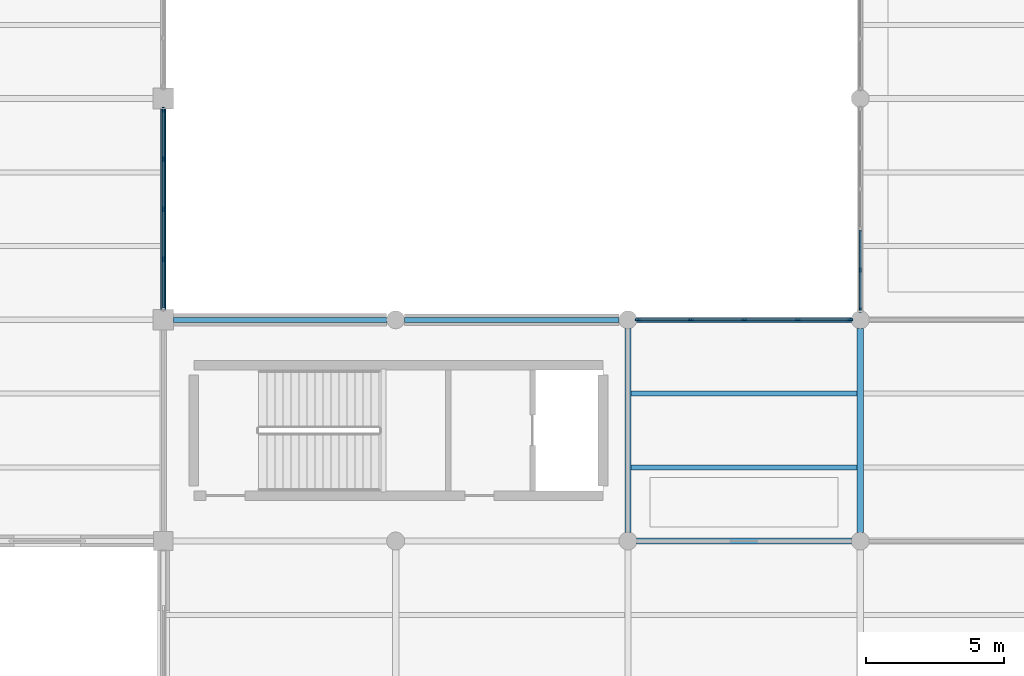
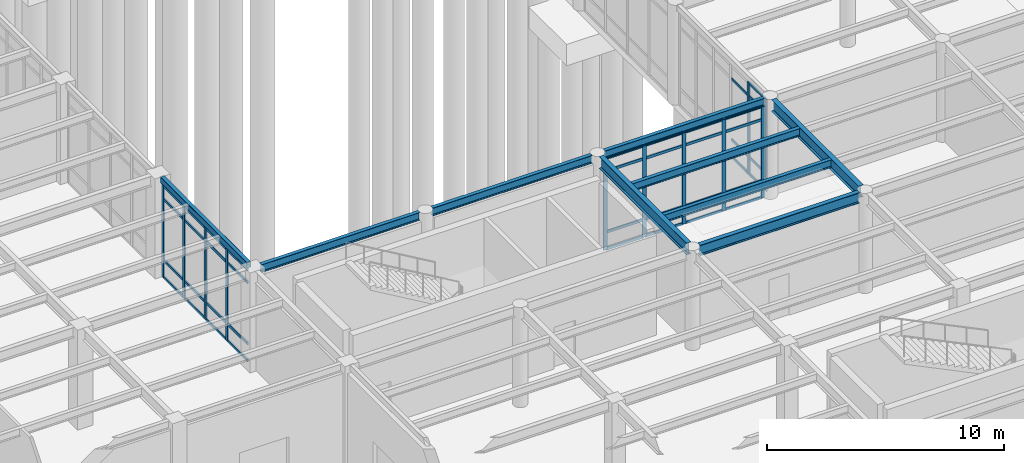
# One storey, part 29 of 138: 50 members, 9 beams, 3 elements without a shape of their own.
"""IFC4 building model written with IfcOpenShell, lengths in metres."""

from ifc_helpers import new_model, si_unit, direction, frame, origin, origin_2d, place, context, subcontext, project, spatial, rectangle, hollow_rectangle, i_section, extrude, material, layer, layer_set, material_profile, profile_set, type_object, element, aggregate, save


model = new_model("IFC4")

# Units and contexts
model_context = context("Model", 3, precision=1e-05, world=origin(), true_north=direction((0.0, 1.0)))
body_context = subcontext(model_context, "Body", "Model", "MODEL_VIEW")
ifc_project = project(units=[si_unit("LENGTHUNIT", "METRE"), si_unit("AREAUNIT", "SQUARE_METRE"), si_unit("VOLUMEUNIT", "CUBIC_METRE"), si_unit("PLANEANGLEUNIT", "RADIAN"), si_unit("MASSUNIT", "GRAM", prefix="KILO")], contexts=[model_context])

# Site, building, storey
site_placement = place(None, origin())
site = spatial("IfcSite", under=ifc_project, at=site_placement, CompositionType="ELEMENT")
building_placement = place(site_placement, origin())
building = spatial("IfcBuilding", under=site, at=building_placement, Name="Kranzveld Transit Interchange", CompositionType="ELEMENT")
storey_placement = place(building_placement, origin())
storey = spatial("IfcBuildingStorey", under=building, at=storey_placement, Name="L00", CompositionType="ELEMENT", Elevation=0.0)

# Curtain wall, members
ifc_material_1 = material(Name="Bronze-anodised thermally broken aluminium", Category="aluminium")
ifc_layer_1 = layer(ifc_material_1, 0.1650390625)
ifc_layer_set_1 = layer_set([ifc_layer_1], Name="Bronze-anodised thermally broken aluminium")
curtain_wall_type_1 = type_object("IfcCurtainWallType", Name="Sunny Court Arcade Curtain Wall CW-2", PredefinedType="USERDEFINED", material=ifc_layer_set_1)
curtain_wall_1_placement = place(storey_placement, origin())
curtain_wall_1 = element("IfcCurtainWall", 1, at=curtain_wall_1_placement, inside=storey, type_object=curtain_wall_type_1, Name="L00 Curtain Wall 08/H-08/J", ObjectType="CURTAIN WALL", PredefinedType="USERDEFINED")
ifc_material_2 = material(Name="Bronze-anodised thermally broken aluminium", Category="aluminium")
ifc_material_profile_1 = material_profile(ifc_material_2, rectangle(XDim=0.06494140625, YDim=0.1650390625, at=origin_2d()), Name="ALU MULLION 65x165")
ifc_profile_set_1 = profile_set([ifc_material_profile_1], Name="Bronze-anodised thermally broken aluminium")
member_type_1 = type_object("IfcMemberType", Name="Curtain Wall Mullion 65x165 Alu", PredefinedType="MULLION", material=ifc_profile_set_1)
member_1_placement = place(storey_placement, frame((58.800048828125, 56.357421875, 0.0), z_axis=(0.0, 0.0, 1.0), x_axis=(-1.0, 0.0, 0.0)))
member_1 = element("IfcMember", 2, at=member_1_placement, type_object=member_type_1, Name="CW-2 mullion 1", PredefinedType="MULLION", context=body_context, shape_type="SweptSolid", body=[
    extrude(rectangle(XDim=0.06494140625, YDim=0.1650390625, at=origin_2d()), origin(), (0.0, 0.0, 1.0), 4.747314453125),
])
member_2_placement = place(storey_placement, frame((58.800048828125, 57.794921875, 0.0), z_axis=(0.0, 0.0, 1.0), x_axis=(-1.0, 0.0, 0.0)))
member_2 = element("IfcMember", 3, at=member_2_placement, type_object=member_type_1, Name="CW-2 mullion 2", PredefinedType="MULLION", context=body_context, shape_type="SweptSolid", body=[
    extrude(rectangle(XDim=0.06494140625, YDim=0.1650390625, at=origin_2d()), origin(), (0.0, 0.0, 1.0), 4.747314453125),
])

ifc_material_3 = material(Name="Bronze-anodised thermally broken aluminium", Category="aluminium")
ifc_layer_2 = layer(ifc_material_3, 0.18505859375)
ifc_layer_set_2 = layer_set([ifc_layer_2], Name="Bronze-anodised thermally broken aluminium")
curtain_wall_type_2 = type_object("IfcCurtainWallType", Name="Control Crown Observation Facade CW-5", PredefinedType="USERDEFINED", material=ifc_layer_set_2)
curtain_wall_2_placement = place(storey_placement, origin())
curtain_wall_2 = element("IfcCurtainWall", 4, at=curtain_wall_2_placement, inside=storey, type_object=curtain_wall_type_2, Name="L00 Curtain Wall 05/H-05/J", ObjectType="CURTAIN WALL", PredefinedType="USERDEFINED")
ifc_material_4 = material(Name="Bronze-anodised thermally broken aluminium", Category="aluminium")
ifc_material_profile_2 = material_profile(ifc_material_4, rectangle(XDim=0.06494140625, YDim=0.179931640625, at=origin_2d()), Name="ALU MULLION 65x180")
ifc_profile_set_2 = profile_set([ifc_material_profile_2], Name="Bronze-anodised thermally broken aluminium")
member_type_2 = type_object("IfcMemberType", Name="Curtain Wall Mullion 65x180 Alu", PredefinedType="MULLION", material=ifc_profile_set_2)
member_3_placement = place(storey_placement, frame((33.60009765625, 58.1875, 0.0), z_axis=(0.0, 0.0, 1.0), x_axis=(-1.0, 0.0, 0.0)))
member_3 = element("IfcMember", 5, at=member_3_placement, type_object=member_type_2, Name="CW-5 mullion 2", PredefinedType="MULLION", context=body_context, shape_type="SweptSolid", body=[
    extrude(rectangle(XDim=0.06494140625, YDim=0.179931640625, at=origin_2d()), origin(), (0.0, 0.0, 1.0), 4.747314453125),
])
member_4_placement = place(storey_placement, frame((33.60009765625, 60.0, 0.0), z_axis=(0.0, 0.0, 1.0), x_axis=(-1.0, 0.0, 0.0)))
member_4 = element("IfcMember", 6, at=member_4_placement, type_object=member_type_2, Name="CW-5 mullion 3", PredefinedType="MULLION", context=body_context, shape_type="SweptSolid", body=[
    extrude(rectangle(XDim=0.06494140625, YDim=0.179931640625, at=origin_2d()), origin(), (0.0, 0.0, 1.0), 4.747314453125),
])
member_5_placement = place(storey_placement, frame((33.60009765625, 61.8125, 0.0), z_axis=(0.0, 0.0, 1.0), x_axis=(-1.0, 0.0, 0.0)))
member_5 = element("IfcMember", 7, at=member_5_placement, type_object=member_type_2, Name="CW-5 mullion 4", PredefinedType="MULLION", context=body_context, shape_type="SweptSolid", body=[
    extrude(rectangle(XDim=0.06494140625, YDim=0.179931640625, at=origin_2d()), origin(), (0.0, 0.0, 1.0), 4.747314453125),
])
member_6_placement = place(storey_placement, frame((33.60009765625, 63.592529296875, 0.0), z_axis=(0.0, 0.0, 1.0), x_axis=(-1.0, 0.0, 0.0)))
member_6 = element("IfcMember", 8, at=member_6_placement, type_object=member_type_2, Name="CW-5 mullion 5", PredefinedType="MULLION", context=body_context, shape_type="SweptSolid", body=[
    extrude(rectangle(XDim=0.06494140625, YDim=0.179931640625, at=origin_2d()), origin(), (0.0, 0.0, 1.0), 4.747314453125),
])

ifc_material_5 = material(Name="Bronze-anodised thermally broken aluminium", Category="aluminium")
ifc_layer_3 = layer(ifc_material_5, 0.179931640625)
ifc_layer_set_3 = layer_set([ifc_layer_3], Name="Bronze-anodised thermally broken aluminium")
curtain_wall_type_3 = type_object("IfcCurtainWallType", Name="Concourse Unitised Curtain Wall CW-1", PredefinedType="USERDEFINED", material=ifc_layer_set_3)
curtain_wall_3_placement = place(storey_placement, origin())
curtain_wall_3 = element("IfcCurtainWall", 9, at=curtain_wall_3_placement, inside=storey, type_object=curtain_wall_type_3, Name="L00 Curtain Wall 07/H-08/H", ObjectType="CURTAIN WALL", PredefinedType="USERDEFINED")
member_7_placement = place(storey_placement, frame((50.757568359375, 56.0, 0.0), z_axis=(0.0, 0.0, 1.0), x_axis=(0.0, 1.0, 0.0)))
member_7 = element("IfcMember", 10, at=member_7_placement, type_object=member_type_2, Name="CW-1 mullion 1", PredefinedType="MULLION", context=body_context, shape_type="SweptSolid", body=[
    extrude(rectangle(XDim=0.06494140625, YDim=0.179931640625, at=origin_2d()), origin(), (0.0, 0.0, 1.0), 4.740478515625),
])
member_8_placement = place(storey_placement, frame((52.66259765625, 56.0, 0.0), z_axis=(0.0, 0.0, 1.0), x_axis=(0.0, 1.0, 0.0)))
member_8 = element("IfcMember", 11, at=member_8_placement, type_object=member_type_2, Name="CW-1 mullion 2", PredefinedType="MULLION", context=body_context, shape_type="SweptSolid", body=[
    extrude(rectangle(XDim=0.06494140625, YDim=0.179931640625, at=origin_2d()), origin(), (0.0, 0.0, 1.0), 4.740478515625),
])
member_9_placement = place(storey_placement, frame((54.60009765625, 56.0, 0.0), z_axis=(0.0, 0.0, 1.0), x_axis=(0.0, 1.0, 0.0)))
member_9 = element("IfcMember", 12, at=member_9_placement, type_object=member_type_2, Name="CW-1 mullion 3", PredefinedType="MULLION", context=body_context, shape_type="SweptSolid", body=[
    extrude(rectangle(XDim=0.06494140625, YDim=0.179931640625, at=origin_2d()), origin(), (0.0, 0.0, 1.0), 4.740478515625),
])
member_10_placement = place(storey_placement, frame((56.53759765625, 56.0, 0.0), z_axis=(0.0, 0.0, 1.0), x_axis=(0.0, 1.0, 0.0)))
member_10 = element("IfcMember", 13, at=member_10_placement, type_object=member_type_2, Name="CW-1 mullion 4", PredefinedType="MULLION", context=body_context, shape_type="SweptSolid", body=[
    extrude(rectangle(XDim=0.06494140625, YDim=0.179931640625, at=origin_2d()), origin(), (0.0, 0.0, 1.0), 4.740478515625),
])
member_11_placement = place(storey_placement, frame((58.4423828125, 56.0, 0.0), z_axis=(0.0, 0.0, 1.0), x_axis=(0.0, 1.0, 0.0)))
member_11 = element("IfcMember", 14, at=member_11_placement, type_object=member_type_2, Name="CW-1 mullion 5", PredefinedType="MULLION", context=body_context, shape_type="SweptSolid", body=[
    extrude(rectangle(XDim=0.06494140625, YDim=0.179931640625, at=origin_2d()), origin(), (0.0, 0.0, 1.0), 4.740478515625),
])

# Member
ifc_material_6 = material(Name="Bronze-anodised thermally broken aluminium", Category="aluminium")
ifc_material_profile_3 = material_profile(ifc_material_6, rectangle(XDim=0.06005859375, YDim=0.125, at=origin_2d()), Name="ALU TRANSOM 60x125")
ifc_profile_set_3 = profile_set([ifc_material_profile_3], Name="Bronze-anodised thermally broken aluminium")
member_type_3 = type_object("IfcMemberType", Name="Curtain Wall Transom 60x125 Alu", PredefinedType="USERDEFINED", material=ifc_profile_set_3)
member_12_placement = place(storey_placement, frame((58.800048828125, 56.389892578125, 0.030029296875), z_axis=(0.0, 1.0, 0.0), x_axis=(-1.0, 0.0, 0.0)))
member_12 = element("IfcMember", 15, at=member_12_placement, type_object=member_type_3, Name="CW-2 transom 1.1", ObjectType="TRANSOM", PredefinedType="USERDEFINED", context=body_context, shape_type="SweptSolid", body=[
    extrude(rectangle(XDim=0.06005859375, YDim=0.125, at=origin_2d()), origin(), (0.0, 0.0, 1.0), 1.37255859375),
])

member_13_placement = place(storey_placement, frame((58.800048828125, 56.389892578125, 0.89990234375), z_axis=(0.0, 1.0, 0.0), x_axis=(-1.0, 0.0, 0.0)))
member_13 = element("IfcMember", 16, at=member_13_placement, type_object=member_type_3, Name="CW-2 transom 1.2", ObjectType="TRANSOM", PredefinedType="USERDEFINED", context=body_context, shape_type="SweptSolid", body=[
    extrude(rectangle(XDim=0.06005859375, YDim=0.125, at=origin_2d()), origin(), (0.0, 0.0, 1.0), 1.37255859375),
])

member_14_placement = place(storey_placement, frame((58.800048828125, 56.389892578125, 4.04736328125), z_axis=(0.0, 1.0, 0.0), x_axis=(-1.0, 0.0, 0.0)))
member_14 = element("IfcMember", 17, at=member_14_placement, type_object=member_type_3, Name="CW-2 transom 1.3", ObjectType="TRANSOM", PredefinedType="USERDEFINED", context=body_context, shape_type="SweptSolid", body=[
    extrude(rectangle(XDim=0.06005859375, YDim=0.125, at=origin_2d()), origin(), (0.0, 0.0, 1.0), 1.37255859375),
])

member_15_placement = place(storey_placement, frame((58.800048828125, 56.389892578125, 4.71728515625), z_axis=(0.0, 1.0, 0.0), x_axis=(-1.0, 0.0, 0.0)))
member_15 = element("IfcMember", 18, at=member_15_placement, type_object=member_type_3, Name="CW-2 transom 1.4", ObjectType="TRANSOM", PredefinedType="USERDEFINED", context=body_context, shape_type="SweptSolid", body=[
    extrude(rectangle(XDim=0.06005859375, YDim=0.125, at=origin_2d()), origin(), (0.0, 0.0, 1.0), 1.37255859375),
])

member_16_placement = place(storey_placement, frame((58.800048828125, 57.827392578125, 0.030029296875), z_axis=(0.0, 1.0, 0.0), x_axis=(-1.0, 0.0, 0.0)))
member_16 = element("IfcMember", 19, at=member_16_placement, type_object=member_type_3, Name="CW-2 transom 2.1", ObjectType="TRANSOM", PredefinedType="USERDEFINED", context=body_context, shape_type="SweptSolid", body=[
    extrude(rectangle(XDim=0.06005859375, YDim=0.125, at=origin_2d()), origin(), (0.0, 0.0, 1.0), 1.405029296875),
])

member_17_placement = place(storey_placement, frame((58.800048828125, 57.827392578125, 0.89990234375), z_axis=(0.0, 1.0, 0.0), x_axis=(-1.0, 0.0, 0.0)))
member_17 = element("IfcMember", 20, at=member_17_placement, type_object=member_type_3, Name="CW-2 transom 2.2", ObjectType="TRANSOM", PredefinedType="USERDEFINED", context=body_context, shape_type="SweptSolid", body=[
    extrude(rectangle(XDim=0.06005859375, YDim=0.125, at=origin_2d()), origin(), (0.0, 0.0, 1.0), 1.405029296875),
])

member_18_placement = place(storey_placement, frame((58.800048828125, 57.827392578125, 4.04736328125), z_axis=(0.0, 1.0, 0.0), x_axis=(-1.0, 0.0, 0.0)))
member_18 = element("IfcMember", 21, at=member_18_placement, type_object=member_type_3, Name="CW-2 transom 2.3", ObjectType="TRANSOM", PredefinedType="USERDEFINED", context=body_context, shape_type="SweptSolid", body=[
    extrude(rectangle(XDim=0.06005859375, YDim=0.125, at=origin_2d()), origin(), (0.0, 0.0, 1.0), 1.405029296875),
])

aggregate(curtain_wall_1, [member_1, member_2, member_12, member_13, member_14, member_15, member_16, member_17, member_18])

ifc_material_7 = material(Name="Bronze-anodised thermally broken aluminium", Category="aluminium")
ifc_material_profile_4 = material_profile(ifc_material_7, rectangle(XDim=0.06494140625, YDim=0.139892578125, at=origin_2d()), Name="ALU TRANSOM 65x140")
ifc_profile_set_4 = profile_set([ifc_material_profile_4], Name="Bronze-anodised thermally broken aluminium")
member_type_4 = type_object("IfcMemberType", Name="Curtain Wall Transom 65x140 Alu", PredefinedType="USERDEFINED", material=ifc_profile_set_4)
member_19_placement = place(storey_placement, frame((33.60009765625, 56.43994140625, 0.032470703125), z_axis=(0.0, 1.0, 0.0), x_axis=(-1.0, 0.0, 0.0)))
member_19 = element("IfcMember", 22, at=member_19_placement, type_object=member_type_4, Name="CW-5 transom 1.1", ObjectType="TRANSOM", PredefinedType="USERDEFINED", context=body_context, shape_type="SweptSolid", body=[
    extrude(rectangle(XDim=0.06494140625, YDim=0.139892578125, at=origin_2d()), origin(), (0.0, 0.0, 1.0), 1.715087890625),
])

member_20_placement = place(storey_placement, frame((33.60009765625, 56.43994140625, 0.89990234375), z_axis=(0.0, 1.0, 0.0), x_axis=(-1.0, 0.0, 0.0)))
member_20 = element("IfcMember", 23, at=member_20_placement, type_object=member_type_4, Name="CW-5 transom 1.2", ObjectType="TRANSOM", PredefinedType="USERDEFINED", context=body_context, shape_type="SweptSolid", body=[
    extrude(rectangle(XDim=0.06494140625, YDim=0.139892578125, at=origin_2d()), origin(), (0.0, 0.0, 1.0), 1.715087890625),
])

member_21_placement = place(storey_placement, frame((33.60009765625, 56.43994140625, 4.04736328125), z_axis=(0.0, 1.0, 0.0), x_axis=(-1.0, 0.0, 0.0)))
member_21 = element("IfcMember", 24, at=member_21_placement, type_object=member_type_4, Name="CW-5 transom 1.3", ObjectType="TRANSOM", PredefinedType="USERDEFINED", context=body_context, shape_type="SweptSolid", body=[
    extrude(rectangle(XDim=0.06494140625, YDim=0.139892578125, at=origin_2d()), origin(), (0.0, 0.0, 1.0), 1.715087890625),
])

member_22_placement = place(storey_placement, frame((33.60009765625, 56.43994140625, 4.71484375), z_axis=(0.0, 1.0, 0.0), x_axis=(-1.0, 0.0, 0.0)))
member_22 = element("IfcMember", 25, at=member_22_placement, type_object=member_type_4, Name="CW-5 transom 1.4", ObjectType="TRANSOM", PredefinedType="USERDEFINED", context=body_context, shape_type="SweptSolid", body=[
    extrude(rectangle(XDim=0.06494140625, YDim=0.139892578125, at=origin_2d()), origin(), (0.0, 0.0, 1.0), 1.715087890625),
])

member_23_placement = place(storey_placement, frame((33.60009765625, 58.219970703125, 0.032470703125), z_axis=(0.0, 1.0, 0.0), x_axis=(-1.0, 0.0, 0.0)))
member_23 = element("IfcMember", 26, at=member_23_placement, type_object=member_type_4, Name="CW-5 transom 2.1", ObjectType="TRANSOM", PredefinedType="USERDEFINED", context=body_context, shape_type="SweptSolid", body=[
    extrude(rectangle(XDim=0.06494140625, YDim=0.139892578125, at=origin_2d()), origin(), (0.0, 0.0, 1.0), 1.74755859375),
])

member_24_placement = place(storey_placement, frame((33.60009765625, 58.219970703125, 0.89990234375), z_axis=(0.0, 1.0, 0.0), x_axis=(-1.0, 0.0, 0.0)))
member_24 = element("IfcMember", 27, at=member_24_placement, type_object=member_type_4, Name="CW-5 transom 2.2", ObjectType="TRANSOM", PredefinedType="USERDEFINED", context=body_context, shape_type="SweptSolid", body=[
    extrude(rectangle(XDim=0.06494140625, YDim=0.139892578125, at=origin_2d()), origin(), (0.0, 0.0, 1.0), 1.74755859375),
])

member_25_placement = place(storey_placement, frame((33.60009765625, 58.219970703125, 4.04736328125), z_axis=(0.0, 1.0, 0.0), x_axis=(-1.0, 0.0, 0.0)))
member_25 = element("IfcMember", 28, at=member_25_placement, type_object=member_type_4, Name="CW-5 transom 2.3", ObjectType="TRANSOM", PredefinedType="USERDEFINED", context=body_context, shape_type="SweptSolid", body=[
    extrude(rectangle(XDim=0.06494140625, YDim=0.139892578125, at=origin_2d()), origin(), (0.0, 0.0, 1.0), 1.74755859375),
])

member_26_placement = place(storey_placement, frame((33.60009765625, 58.219970703125, 4.71484375), z_axis=(0.0, 1.0, 0.0), x_axis=(-1.0, 0.0, 0.0)))
member_26 = element("IfcMember", 29, at=member_26_placement, type_object=member_type_4, Name="CW-5 transom 2.4", ObjectType="TRANSOM", PredefinedType="USERDEFINED", context=body_context, shape_type="SweptSolid", body=[
    extrude(rectangle(XDim=0.06494140625, YDim=0.139892578125, at=origin_2d()), origin(), (0.0, 0.0, 1.0), 1.74755859375),
])

member_27_placement = place(storey_placement, frame((33.60009765625, 60.032470703125, 0.032470703125), z_axis=(0.0, 1.0, 0.0), x_axis=(-1.0, 0.0, 0.0)))
member_27 = element("IfcMember", 30, at=member_27_placement, type_object=member_type_4, Name="CW-5 transom 3.1", ObjectType="TRANSOM", PredefinedType="USERDEFINED", context=body_context, shape_type="SweptSolid", body=[
    extrude(rectangle(XDim=0.06494140625, YDim=0.139892578125, at=origin_2d()), origin(), (0.0, 0.0, 1.0), 1.74755859375),
])

member_28_placement = place(storey_placement, frame((33.60009765625, 60.032470703125, 0.89990234375), z_axis=(0.0, 1.0, 0.0), x_axis=(-1.0, 0.0, 0.0)))
member_28 = element("IfcMember", 31, at=member_28_placement, type_object=member_type_4, Name="CW-5 transom 3.2", ObjectType="TRANSOM", PredefinedType="USERDEFINED", context=body_context, shape_type="SweptSolid", body=[
    extrude(rectangle(XDim=0.06494140625, YDim=0.139892578125, at=origin_2d()), origin(), (0.0, 0.0, 1.0), 1.74755859375),
])

member_29_placement = place(storey_placement, frame((33.60009765625, 60.032470703125, 4.04736328125), z_axis=(0.0, 1.0, 0.0), x_axis=(-1.0, 0.0, 0.0)))
member_29 = element("IfcMember", 32, at=member_29_placement, type_object=member_type_4, Name="CW-5 transom 3.3", ObjectType="TRANSOM", PredefinedType="USERDEFINED", context=body_context, shape_type="SweptSolid", body=[
    extrude(rectangle(XDim=0.06494140625, YDim=0.139892578125, at=origin_2d()), origin(), (0.0, 0.0, 1.0), 1.74755859375),
])

member_30_placement = place(storey_placement, frame((33.60009765625, 60.032470703125, 4.71484375), z_axis=(0.0, 1.0, 0.0), x_axis=(-1.0, 0.0, 0.0)))
member_30 = element("IfcMember", 33, at=member_30_placement, type_object=member_type_4, Name="CW-5 transom 3.4", ObjectType="TRANSOM", PredefinedType="USERDEFINED", context=body_context, shape_type="SweptSolid", body=[
    extrude(rectangle(XDim=0.06494140625, YDim=0.139892578125, at=origin_2d()), origin(), (0.0, 0.0, 1.0), 1.74755859375),
])

member_31_placement = place(storey_placement, frame((33.60009765625, 61.844970703125, 0.032470703125), z_axis=(0.0, 1.0, 0.0), x_axis=(-1.0, 0.0, 0.0)))
member_31 = element("IfcMember", 34, at=member_31_placement, type_object=member_type_4, Name="CW-5 transom 4.1", ObjectType="TRANSOM", PredefinedType="USERDEFINED", context=body_context, shape_type="SweptSolid", body=[
    extrude(rectangle(XDim=0.06494140625, YDim=0.139892578125, at=origin_2d()), origin(), (0.0, 0.0, 1.0), 1.715087890625),
])

member_32_placement = place(storey_placement, frame((33.60009765625, 61.844970703125, 0.89990234375), z_axis=(0.0, 1.0, 0.0), x_axis=(-1.0, 0.0, 0.0)))
member_32 = element("IfcMember", 35, at=member_32_placement, type_object=member_type_4, Name="CW-5 transom 4.2", ObjectType="TRANSOM", PredefinedType="USERDEFINED", context=body_context, shape_type="SweptSolid", body=[
    extrude(rectangle(XDim=0.06494140625, YDim=0.139892578125, at=origin_2d()), origin(), (0.0, 0.0, 1.0), 1.715087890625),
])

member_33_placement = place(storey_placement, frame((33.60009765625, 61.844970703125, 4.04736328125), z_axis=(0.0, 1.0, 0.0), x_axis=(-1.0, 0.0, 0.0)))
member_33 = element("IfcMember", 36, at=member_33_placement, type_object=member_type_4, Name="CW-5 transom 4.3", ObjectType="TRANSOM", PredefinedType="USERDEFINED", context=body_context, shape_type="SweptSolid", body=[
    extrude(rectangle(XDim=0.06494140625, YDim=0.139892578125, at=origin_2d()), origin(), (0.0, 0.0, 1.0), 1.715087890625),
])

member_34_placement = place(storey_placement, frame((33.60009765625, 61.844970703125, 4.71484375), z_axis=(0.0, 1.0, 0.0), x_axis=(-1.0, 0.0, 0.0)))
member_34 = element("IfcMember", 37, at=member_34_placement, type_object=member_type_4, Name="CW-5 transom 4.4", ObjectType="TRANSOM", PredefinedType="USERDEFINED", context=body_context, shape_type="SweptSolid", body=[
    extrude(rectangle(XDim=0.06494140625, YDim=0.139892578125, at=origin_2d()), origin(), (0.0, 0.0, 1.0), 1.715087890625),
])

aggregate(curtain_wall_2, [member_3, member_4, member_5, member_6, member_19, member_20, member_21, member_22, member_23, member_24, member_25, member_26, member_27, member_28, member_29, member_30, member_31, member_32, member_33, member_34])

member_35_placement = place(storey_placement, frame((50.7900390625, 56.0, 0.032470703125), z_axis=(1.0, 0.0, 0.0), x_axis=(0.0, 1.0, 0.0)))
member_35 = element("IfcMember", 38, at=member_35_placement, type_object=member_type_4, Name="CW-1 transom 1.1", ObjectType="TRANSOM", PredefinedType="USERDEFINED", context=body_context, shape_type="SweptSolid", body=[
    extrude(rectangle(XDim=0.06494140625, YDim=0.139892578125, at=origin_2d()), origin(), (0.0, 0.0, 1.0), 1.83984375),
])

member_36_placement = place(storey_placement, frame((50.7900390625, 56.0, 0.89990234375), z_axis=(1.0, 0.0, 0.0), x_axis=(0.0, 1.0, 0.0)))
member_36 = element("IfcMember", 39, at=member_36_placement, type_object=member_type_4, Name="CW-1 transom 1.2", ObjectType="TRANSOM", PredefinedType="USERDEFINED", context=body_context, shape_type="SweptSolid", body=[
    extrude(rectangle(XDim=0.06494140625, YDim=0.139892578125, at=origin_2d()), origin(), (0.0, 0.0, 1.0), 1.83984375),
])

member_37_placement = place(storey_placement, frame((50.7900390625, 56.0, 4.04052734375), z_axis=(1.0, 0.0, 0.0), x_axis=(0.0, 1.0, 0.0)))
member_37 = element("IfcMember", 40, at=member_37_placement, type_object=member_type_4, Name="CW-1 transom 1.3", ObjectType="TRANSOM", PredefinedType="USERDEFINED", context=body_context, shape_type="SweptSolid", body=[
    extrude(rectangle(XDim=0.06494140625, YDim=0.139892578125, at=origin_2d()), origin(), (0.0, 0.0, 1.0), 1.83984375),
])

member_38_placement = place(storey_placement, frame((50.7900390625, 56.0, 4.7080078125), z_axis=(1.0, 0.0, 0.0), x_axis=(0.0, 1.0, 0.0)))
member_38 = element("IfcMember", 41, at=member_38_placement, type_object=member_type_4, Name="CW-1 transom 1.4", ObjectType="TRANSOM", PredefinedType="USERDEFINED", context=body_context, shape_type="SweptSolid", body=[
    extrude(rectangle(XDim=0.06494140625, YDim=0.139892578125, at=origin_2d()), origin(), (0.0, 0.0, 1.0), 1.83984375),
])

member_39_placement = place(storey_placement, frame((52.695068359375, 56.0, 0.032470703125), z_axis=(1.0, 0.0, 0.0), x_axis=(0.0, 1.0, 0.0)))
member_39 = element("IfcMember", 42, at=member_39_placement, type_object=member_type_4, Name="CW-1 transom 2.1", ObjectType="TRANSOM", PredefinedType="USERDEFINED", context=body_context, shape_type="SweptSolid", body=[
    extrude(rectangle(XDim=0.06494140625, YDim=0.139892578125, at=origin_2d()), origin(), (0.0, 0.0, 1.0), 1.872314453125),
])

member_40_placement = place(storey_placement, frame((52.695068359375, 56.0, 0.89990234375), z_axis=(1.0, 0.0, 0.0), x_axis=(0.0, 1.0, 0.0)))
member_40 = element("IfcMember", 43, at=member_40_placement, type_object=member_type_4, Name="CW-1 transom 2.2", ObjectType="TRANSOM", PredefinedType="USERDEFINED", context=body_context, shape_type="SweptSolid", body=[
    extrude(rectangle(XDim=0.06494140625, YDim=0.139892578125, at=origin_2d()), origin(), (0.0, 0.0, 1.0), 1.872314453125),
])

member_41_placement = place(storey_placement, frame((52.695068359375, 56.0, 4.04052734375), z_axis=(1.0, 0.0, 0.0), x_axis=(0.0, 1.0, 0.0)))
member_41 = element("IfcMember", 44, at=member_41_placement, type_object=member_type_4, Name="CW-1 transom 2.3", ObjectType="TRANSOM", PredefinedType="USERDEFINED", context=body_context, shape_type="SweptSolid", body=[
    extrude(rectangle(XDim=0.06494140625, YDim=0.139892578125, at=origin_2d()), origin(), (0.0, 0.0, 1.0), 1.872314453125),
])

member_42_placement = place(storey_placement, frame((52.695068359375, 56.0, 4.7080078125), z_axis=(1.0, 0.0, 0.0), x_axis=(0.0, 1.0, 0.0)))
member_42 = element("IfcMember", 45, at=member_42_placement, type_object=member_type_4, Name="CW-1 transom 2.4", ObjectType="TRANSOM", PredefinedType="USERDEFINED", context=body_context, shape_type="SweptSolid", body=[
    extrude(rectangle(XDim=0.06494140625, YDim=0.139892578125, at=origin_2d()), origin(), (0.0, 0.0, 1.0), 1.872314453125),
])

member_43_placement = place(storey_placement, frame((54.632568359375, 56.0, 0.032470703125), z_axis=(1.0, 0.0, 0.0), x_axis=(0.0, 1.0, 0.0)))
member_43 = element("IfcMember", 46, at=member_43_placement, type_object=member_type_4, Name="CW-1 transom 3.1", ObjectType="TRANSOM", PredefinedType="USERDEFINED", context=body_context, shape_type="SweptSolid", body=[
    extrude(rectangle(XDim=0.06494140625, YDim=0.139892578125, at=origin_2d()), origin(), (0.0, 0.0, 1.0), 1.872314453125),
])

member_44_placement = place(storey_placement, frame((54.632568359375, 56.0, 0.89990234375), z_axis=(1.0, 0.0, 0.0), x_axis=(0.0, 1.0, 0.0)))
member_44 = element("IfcMember", 47, at=member_44_placement, type_object=member_type_4, Name="CW-1 transom 3.2", ObjectType="TRANSOM", PredefinedType="USERDEFINED", context=body_context, shape_type="SweptSolid", body=[
    extrude(rectangle(XDim=0.06494140625, YDim=0.139892578125, at=origin_2d()), origin(), (0.0, 0.0, 1.0), 1.872314453125),
])

member_45_placement = place(storey_placement, frame((54.632568359375, 56.0, 4.04052734375), z_axis=(1.0, 0.0, 0.0), x_axis=(0.0, 1.0, 0.0)))
member_45 = element("IfcMember", 48, at=member_45_placement, type_object=member_type_4, Name="CW-1 transom 3.3", ObjectType="TRANSOM", PredefinedType="USERDEFINED", context=body_context, shape_type="SweptSolid", body=[
    extrude(rectangle(XDim=0.06494140625, YDim=0.139892578125, at=origin_2d()), origin(), (0.0, 0.0, 1.0), 1.872314453125),
])

member_46_placement = place(storey_placement, frame((54.632568359375, 56.0, 4.7080078125), z_axis=(1.0, 0.0, 0.0), x_axis=(0.0, 1.0, 0.0)))
member_46 = element("IfcMember", 49, at=member_46_placement, type_object=member_type_4, Name="CW-1 transom 3.4", ObjectType="TRANSOM", PredefinedType="USERDEFINED", context=body_context, shape_type="SweptSolid", body=[
    extrude(rectangle(XDim=0.06494140625, YDim=0.139892578125, at=origin_2d()), origin(), (0.0, 0.0, 1.0), 1.872314453125),
])

member_47_placement = place(storey_placement, frame((56.570068359375, 56.0, 0.032470703125), z_axis=(1.0, 0.0, 0.0), x_axis=(0.0, 1.0, 0.0)))
member_47 = element("IfcMember", 50, at=member_47_placement, type_object=member_type_4, Name="CW-1 transom 4.1", ObjectType="TRANSOM", PredefinedType="USERDEFINED", context=body_context, shape_type="SweptSolid", body=[
    extrude(rectangle(XDim=0.06494140625, YDim=0.139892578125, at=origin_2d()), origin(), (0.0, 0.0, 1.0), 1.83984375),
])

member_48_placement = place(storey_placement, frame((56.570068359375, 56.0, 0.89990234375), z_axis=(1.0, 0.0, 0.0), x_axis=(0.0, 1.0, 0.0)))
member_48 = element("IfcMember", 51, at=member_48_placement, type_object=member_type_4, Name="CW-1 transom 4.2", ObjectType="TRANSOM", PredefinedType="USERDEFINED", context=body_context, shape_type="SweptSolid", body=[
    extrude(rectangle(XDim=0.06494140625, YDim=0.139892578125, at=origin_2d()), origin(), (0.0, 0.0, 1.0), 1.83984375),
])

member_49_placement = place(storey_placement, frame((56.570068359375, 56.0, 4.04052734375), z_axis=(1.0, 0.0, 0.0), x_axis=(0.0, 1.0, 0.0)))
member_49 = element("IfcMember", 52, at=member_49_placement, type_object=member_type_4, Name="CW-1 transom 4.3", ObjectType="TRANSOM", PredefinedType="USERDEFINED", context=body_context, shape_type="SweptSolid", body=[
    extrude(rectangle(XDim=0.06494140625, YDim=0.139892578125, at=origin_2d()), origin(), (0.0, 0.0, 1.0), 1.83984375),
])

member_50_placement = place(storey_placement, frame((56.570068359375, 56.0, 4.7080078125), z_axis=(1.0, 0.0, 0.0), x_axis=(0.0, 1.0, 0.0)))
member_50 = element("IfcMember", 53, at=member_50_placement, type_object=member_type_4, Name="CW-1 transom 4.4", ObjectType="TRANSOM", PredefinedType="USERDEFINED", context=body_context, shape_type="SweptSolid", body=[
    extrude(rectangle(XDim=0.06494140625, YDim=0.139892578125, at=origin_2d()), origin(), (0.0, 0.0, 1.0), 1.83984375),
])

aggregate(curtain_wall_3, [member_7, member_8, member_9, member_10, member_11, member_35, member_36, member_37, member_38, member_39, member_40, member_41, member_42, member_43, member_44, member_45, member_46, member_47, member_48, member_49, member_50])

# Beams
ifc_material_8 = material(Name="Steel S355JR", Category="steel")
ifc_material_profile_5 = material_profile(ifc_material_8, hollow_rectangle(XDim=0.199951171875, YDim=0.300048828125, WallThickness=0.010009765625, InnerFilletRadius=0.014892578125, OuterFilletRadius=0.02490234375, at=origin_2d()), Name="RHS 300x200x10")
ifc_profile_set_5 = profile_set([ifc_material_profile_5], Name="Steel S355JR")
beam_type_1 = type_object("IfcBeamType", Name="Edge Spandrel RHS 300x200x10 S355JR", PredefinedType="SPANDREL", material=ifc_profile_set_5)
beam_1_placement = place(storey_placement, frame((33.60009765625, 56.364990234375, 5.0), z_axis=(0.0, 1.0, 0.0), x_axis=(-1.0, 0.0, 0.0)))
element("IfcBeam", 54, at=beam_1_placement, inside=storey, type_object=beam_type_1, Name="L00 Girder 05/H-J", PredefinedType="SPANDREL", context=body_context, shape_type="SweptSolid", body=[
    extrude(hollow_rectangle(XDim=0.199951171875, YDim=0.300048828125, WallThickness=0.010009765625, InnerFilletRadius=0.014892578125, OuterFilletRadius=0.02490234375, at=origin_2d()), origin(), (0.0, 0.0, 1.0), 7.27001953125),
])
ifc_material_9 = material(Name="Steel S355JR", Category="steel")
ifc_material_profile_6 = material_profile(ifc_material_9, i_section(OverallWidth=0.1787109375, OverallDepth=0.409423828125, WebThickness=0.0087890625, FlangeThickness=0.014404296875, FilletRadius=0.01025390625, at=origin_2d()), Name="UB 406x178x67")
ifc_profile_set_6 = profile_set([ifc_material_profile_6], Name="Steel S355JR")
beam_type_2 = type_object("IfcBeamType", Name="Facade Spandrel UB 406x178x67 S355JR", PredefinedType="SPANDREL", material=ifc_profile_set_6)
beam_2_placement = place(storey_placement, frame((33.965087890625, 56.0, 4.9453125), z_axis=(1.0, 0.0, 0.0), x_axis=(0.0, 1.0, 0.0)))
element("IfcBeam", 55, at=beam_2_placement, inside=storey, type_object=beam_type_2, Name="L00 Girder 05-06/H", PredefinedType="SPANDREL", context=body_context, shape_type="SweptSolid", body=[
    extrude(i_section(OverallWidth=0.1787109375, OverallDepth=0.409423828125, WebThickness=0.0087890625, FlangeThickness=0.014404296875, FilletRadius=0.01025390625, at=origin_2d()), origin(), (0.0, 0.0, 1.0), 7.719970703125),
])
for number, where, z_axis, x_axis, name in (
    (56, (42.31494140625, 56.0, 4.9453125), (1.0, 0.0, 0.0), (0.0, 1.0, 0.0), "L00 Girder 06-07/H"),
    (57, (50.715087890625, 56.0, 4.9453125), (1.0, 0.0, 0.0), (0.0, 1.0, 0.0), "L00 Girder 07-08/H"),
):
    element("IfcBeam", number, at=place(storey_placement, frame(where, z_axis=z_axis, x_axis=x_axis)), inside=storey, type_object=beam_type_2, Name=name, PredefinedType="SPANDREL", context=body_context, shape_type="SweptSolid", body=[
        extrude(i_section(OverallWidth=0.1787109375, OverallDepth=0.409423828125, WebThickness=0.0087890625, FlangeThickness=0.014404296875, FilletRadius=0.01025390625, at=origin_2d()), origin(), (0.0, 0.0, 1.0), 7.77001953125),
    ])
ifc_material_10 = material(Name="Steel S355JR", Category="steel")
ifc_material_profile_7 = material_profile(ifc_material_10, i_section(OverallWidth=0.177734375, OverallDepth=0.402587890625, WebThickness=0.0078125, FlangeThickness=0.010986328125, FilletRadius=0.01025390625, at=origin_2d()), Name="UB 406x178x54")
ifc_profile_set_7 = profile_set([ifc_material_profile_7], Name="Steel S355JR")
beam_type_3 = type_object("IfcBeamType", Name="Floor Joist UB 406x178x54 S355JR", PredefinedType="JOIST", material=ifc_profile_set_7)
for number, where, z_axis, x_axis, name in (
    (58, (50.51611328125, 50.666748046875, 4.94873046875), (1.0, 0.0, 0.0), (0.0, 1.0, 0.0), "L00 Secondary Joist 07-08/G.1"),
    (59, (50.51611328125, 53.333251953125, 4.94873046875), (1.0, 0.0, 0.0), (0.0, 1.0, 0.0), "L00 Secondary Joist 07-08/G.2"),
):
    element("IfcBeam", number, at=place(storey_placement, frame(where, z_axis=z_axis, x_axis=x_axis)), inside=storey, type_object=beam_type_3, Name=name, PredefinedType="JOIST", context=body_context, shape_type="SweptSolid", body=[
        extrude(i_section(OverallWidth=0.177734375, OverallDepth=0.402587890625, WebThickness=0.0078125, FlangeThickness=0.010986328125, FilletRadius=0.01025390625, at=origin_2d()), origin(), (0.0, 0.0, 1.0), 8.167724609375),
    ])
ifc_material_11 = material(Name="Steel S355JR", Category="steel")
ifc_material_profile_8 = material_profile(ifc_material_11, i_section(OverallWidth=0.2119140625, OverallDepth=0.54443359375, WebThickness=0.0126953125, FlangeThickness=0.021240234375, FilletRadius=0.0126953125, at=origin_2d()), Name="UB 533x210x122")
ifc_profile_set_8 = profile_set([ifc_material_profile_8], Name="Steel S355JR")
beam_type_4 = type_object("IfcBeamType", Name="Girder Steel UB 533x210x122 S355JR", PredefinedType="BEAM", material=ifc_profile_set_8)
beam_3_placement = place(storey_placement, frame((50.715087890625, 48.0, 4.877685546875), z_axis=(1.0, 0.0, 0.0), x_axis=(0.0, 1.0, 0.0)))
element("IfcBeam", 60, at=beam_3_placement, inside=storey, type_object=beam_type_4, Name="L00 Girder 07-08/G", PredefinedType="BEAM", context=body_context, shape_type="SweptSolid", body=[
    extrude(i_section(OverallWidth=0.2119140625, OverallDepth=0.54443359375, WebThickness=0.0126953125, FlangeThickness=0.021240234375, FilletRadius=0.0126953125, at=origin_2d()), origin(), (0.0, 0.0, 1.0), 7.77001953125),
])
ifc_material_12 = material(Name="Steel S355JR", Category="steel")
ifc_material_profile_9 = material_profile(ifc_material_12, i_section(OverallWidth=0.228271484375, OverallDepth=0.607666015625, WebThickness=0.010986328125, FlangeThickness=0.017333984375, FilletRadius=0.0126953125, at=origin_2d()), Name="UB 610x229x113")
ifc_profile_set_9 = profile_set([ifc_material_profile_9], Name="Steel S355JR")
beam_type_5 = type_object("IfcBeamType", Name="Girder Steel UB 610x229x113 S355JR", PredefinedType="BEAM", material=ifc_profile_set_9)
for number, where, z_axis, x_axis, name in (
    (61, (50.39990234375, 48.31494140625, 4.84619140625), (0.0, 1.0, 0.0), (-1.0, 0.0, 0.0), "L00 Girder 07/G-H"),
    (62, (58.800048828125, 48.31494140625, 4.84619140625), (0.0, 1.0, 0.0), (-1.0, 0.0, 0.0), "L00 Girder 08/G-H"),
):
    element("IfcBeam", number, at=place(storey_placement, frame(where, z_axis=z_axis, x_axis=x_axis)), inside=storey, type_object=beam_type_5, Name=name, PredefinedType="BEAM", context=body_context, shape_type="SweptSolid", body=[
        extrude(i_section(OverallWidth=0.228271484375, OverallDepth=0.607666015625, WebThickness=0.010986328125, FlangeThickness=0.017333984375, FilletRadius=0.0126953125, at=origin_2d()), origin(), (0.0, 0.0, 1.0), 7.3701171875),
    ])

save(model, "model.ifc")
